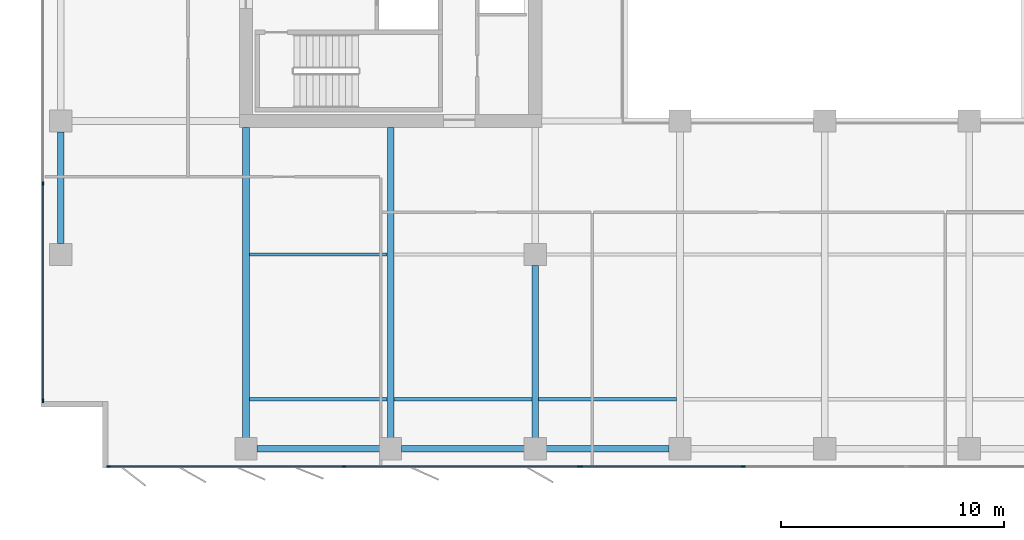
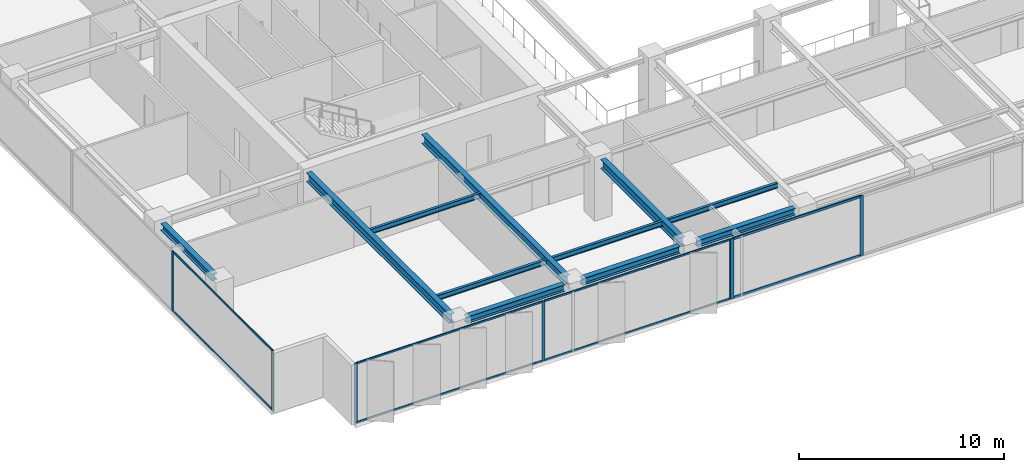
# One storey, part 2 of 22: 15 members, 11 beams, 3 elements without a shape of their own.
"""IFC4 building model written with IfcOpenShell, lengths in metres."""

from ifc_helpers import new_model, si_unit, direction, frame, origin, origin_2d, place, context, subcontext, project, spatial, rectangle, i_section, extrude, material, layer, layer_set, material_profile, profile_set, type_object, element, aggregate, save


model = new_model("IFC4")

# Units and contexts
model_context = context("Model", 3, precision=1e-05, world=origin(), true_north=direction((0.0, 1.0)))
body_context = subcontext(model_context, "Body", "Model", "MODEL_VIEW")
ifc_project = project(units=[si_unit("LENGTHUNIT", "METRE"), si_unit("AREAUNIT", "SQUARE_METRE"), si_unit("VOLUMEUNIT", "CUBIC_METRE"), si_unit("PLANEANGLEUNIT", "RADIAN"), si_unit("MASSUNIT", "GRAM", prefix="KILO")], contexts=[model_context])

# Site, building, storey
site_placement = place(None, origin())
site = spatial("IfcSite", under=ifc_project, at=site_placement, CompositionType="ELEMENT")
building_placement = place(site_placement, origin())
building = spatial("IfcBuilding", under=site, at=building_placement, Name="Putna Gate Headquarters", CompositionType="ELEMENT")
storey_placement = place(building_placement, frame((0.0, 0.0, 148.0)))
storey = spatial("IfcBuildingStorey", under=building, at=storey_placement, Name="L36", CompositionType="ELEMENT", Elevation=148.0)

# Beams
ifc_material_1 = material(Name="Steel S355J2", Category="steel")
ifc_material_profile_1 = material_profile(ifc_material_1, i_section(OverallWidth=0.300048828125, OverallDepth=0.550048828125, WebThickness=0.014892578125, FlangeThickness=0.029052734375, at=origin_2d()), Name="Steel S355J2")
ifc_profile_set_1 = profile_set([ifc_material_profile_1], Name="Steel S355J2")
beam_type_1 = type_object("IfcBeamType", Name="BM-GIRD-Z3-HEB550", PredefinedType="USERDEFINED", material=ifc_profile_set_1)
for number, where, z_axis, x_axis, name in (
    (1, (13.0, 4.76806640625, 3.297119140625), (0.0, 1.0, 0.0), (-1.0, 0.0, 0.0), "L36 South Primary Girder X13"),
    (2, (19.5, 4.76806640625, 3.297119140625), (0.0, 1.0, 0.0), (-1.0, 0.0, 0.0), "L36 South Primary Girder X19"),
):
    element("IfcBeam", number, at=place(storey_placement, frame(where, z_axis=z_axis, x_axis=x_axis)), inside=storey, type_object=beam_type_1, Name=name, ObjectType="GIRDER", PredefinedType="USERDEFINED", context=body_context, shape_type="SweptSolid", body=[
        extrude(i_section(OverallWidth=0.300048828125, OverallDepth=0.550048828125, WebThickness=0.014892578125, FlangeThickness=0.029052734375, at=origin_2d()), origin(), (0.0, 0.0, 1.0), 13.947021484375),
    ])
beam_1_placement = place(storey_placement, frame((26.0, 4.76806640625, 3.297119140625), z_axis=(0.0, 1.0, 0.0), x_axis=(-1.0, 0.0, 0.0)))
element("IfcBeam", 3, at=beam_1_placement, inside=storey, type_object=beam_type_1, Name="L36 South Primary Girder X26-1", ObjectType="GIRDER", PredefinedType="USERDEFINED", context=body_context, shape_type="SweptSolid", body=[
    extrude(i_section(OverallWidth=0.300048828125, OverallDepth=0.550048828125, WebThickness=0.014892578125, FlangeThickness=0.029052734375, at=origin_2d()), origin(), (0.0, 0.0, 1.0), 7.743896484375),
])
ifc_material_profile_2 = material_profile(ifc_material_1, i_section(OverallWidth=0.14990234375, OverallDepth=0.300048828125, WebThickness=0.007080078125, FlangeThickness=0.0107421875, at=origin_2d()), Name="Steel S355J2")
ifc_profile_set_2 = profile_set([ifc_material_profile_2], Name="Steel S355J2")
beam_type_2 = type_object("IfcBeamType", Name="BM-SEC-Z3-IPE300", PredefinedType="JOIST", material=ifc_profile_set_2)
for number, where, z_axis, x_axis, name in (
    (4, (13.154052734375, 6.5, 3.422119140625), (1.0, 0.0, 0.0), (0.0, 1.0, 0.0), "L36 South Secondary Beam 1"),
    (5, (13.154052734375, 13.0, 3.422119140625), (1.0, 0.0, 0.0), (0.0, 1.0, 0.0), "L36 South Secondary Beam 1"),
    (6, (19.654052734375, 6.5, 3.422119140625), (1.0, 0.0, 0.0), (0.0, 1.0, 0.0), "L36 South Secondary Beam 2"),
    (7, (26.154052734375, 6.5, 3.422119140625), (1.0, 0.0, 0.0), (0.0, 1.0, 0.0), "L36 South Secondary Beam 3"),
):
    element("IfcBeam", number, at=place(storey_placement, frame(where, z_axis=z_axis, x_axis=x_axis)), inside=storey, type_object=beam_type_2, Name=name, PredefinedType="JOIST", context=body_context, shape_type="SweptSolid", body=[
        extrude(i_section(OverallWidth=0.14990234375, OverallDepth=0.300048828125, WebThickness=0.007080078125, FlangeThickness=0.0107421875, at=origin_2d()), origin(), (0.0, 0.0, 1.0), 6.19189453125),
    ])
ifc_material_profile_3 = material_profile(ifc_material_1, i_section(OverallWidth=0.300048828125, OverallDepth=0.39990234375, WebThickness=0.013427734375, FlangeThickness=0.02392578125, at=origin_2d()), Name="Steel S355J2")
ifc_profile_set_3 = profile_set([ifc_material_profile_3], Name="Steel S355J2")
beam_type_3 = type_object("IfcBeamType", Name="BM-SPAN-Z3-HEB400", PredefinedType="SPANDREL", material=ifc_profile_set_3)
for number, where, z_axis, x_axis, name in (
    (8, (13.488037109375, 4.280029296875, 3.3720703125), (1.0, 0.0, 0.0), (0.0, 1.0, 0.0), "L36 S Perimeter Spandrel 1"),
    (9, (19.988037109375, 4.280029296875, 3.3720703125), (1.0, 0.0, 0.0), (0.0, 1.0, 0.0), "L36 S Perimeter Spandrel 2"),
    (10, (26.488037109375, 4.280029296875, 3.3720703125), (1.0, 0.0, 0.0), (0.0, 1.0, 0.0), "L36 S Perimeter Spandrel 3"),
):
    element("IfcBeam", number, at=place(storey_placement, frame(where, z_axis=z_axis, x_axis=x_axis)), inside=storey, type_object=beam_type_3, Name=name, PredefinedType="SPANDREL", context=body_context, shape_type="SweptSolid", body=[
        extrude(i_section(OverallWidth=0.300048828125, OverallDepth=0.39990234375, WebThickness=0.013427734375, FlangeThickness=0.02392578125, at=origin_2d()), origin(), (0.0, 0.0, 1.0), 5.52392578125),
    ])
beam_2_placement = place(storey_placement, frame((4.679931640625, 13.488037109375, 3.3720703125), z_axis=(0.0, 1.0, 0.0), x_axis=(-1.0, 0.0, 0.0)))
element("IfcBeam", 11, at=beam_2_placement, inside=storey, type_object=beam_type_3, Name="L36 W End Spandrel 1", PredefinedType="SPANDREL", context=body_context, shape_type="SweptSolid", body=[
    extrude(i_section(OverallWidth=0.300048828125, OverallDepth=0.39990234375, WebThickness=0.013427734375, FlangeThickness=0.02392578125, at=origin_2d()), origin(), (0.0, 0.0, 1.0), 5.02392578125),
])

# Curtain wall, members
ifc_material_2 = material(Name="Anodised bronze aluminium curtain wall", Category="aluminium")
ifc_layer_1 = layer(ifc_material_2, 0.159912109375)
ifc_layer_set_1 = layer_set([ifc_layer_1], Name="Anodised bronze aluminium curtain wall")
curtain_wall_type_1 = type_object("IfcCurtainWallType", Name="CW-SYS-Z3", PredefinedType="USERDEFINED", material=ifc_layer_set_1)
curtain_wall_1_placement = place(storey_placement, origin())
curtain_wall_1 = element("IfcCurtainWall", 12, at=curtain_wall_1_placement, inside=storey, type_object=curtain_wall_type_1, Name="L36 South West Curtain Wall", ObjectType="STICK CURTAIN WALL", PredefinedType="USERDEFINED")
ifc_material_3 = material(Name="Anodised bronze aluminium EN AW-6060", Category="aluminium")
ifc_material_profile_4 = material_profile(ifc_material_3, rectangle(XDim=0.06494140625, YDim=0.159912109375, at=origin_2d()), Name="Anodised bronze aluminium EN AW-6060")
ifc_profile_set_4 = profile_set([ifc_material_profile_4], Name="Anodised bronze aluminium EN AW-6060")
member_type_1 = type_object("IfcMemberType", Name="MULL-CWM-3", PredefinedType="MULLION", material=ifc_profile_set_4)
member_1_placement = place(storey_placement, frame((6.83251953125, 3.47998046875, 0.0), z_axis=(0.0, 0.0, 1.0), x_axis=(0.0, 1.0, 0.0)))
member_1 = element("IfcMember", 13, at=member_1_placement, type_object=member_type_1, Name="CWS-3 mullion 1", PredefinedType="MULLION", context=body_context, shape_type="SweptSolid", body=[
    extrude(rectangle(XDim=0.06494140625, YDim=0.159912109375, at=origin_2d()), origin(), (0.0, 0.0, 1.0), 3.572021484375),
])
member_2_placement = place(storey_placement, frame((17.39990234375, 3.47998046875, 0.0), z_axis=(0.0, 0.0, 1.0), x_axis=(0.0, 1.0, 0.0)))
member_2 = element("IfcMember", 14, at=member_2_placement, type_object=member_type_1, Name="CWS-3 mullion 2", PredefinedType="MULLION", context=body_context, shape_type="SweptSolid", body=[
    extrude(rectangle(XDim=0.06494140625, YDim=0.159912109375, at=origin_2d()), origin(), (0.0, 0.0, 1.0), 3.572021484375),
])
member_3_placement = place(storey_placement, frame((27.967529296875, 3.47998046875, 0.0), z_axis=(0.0, 0.0, 1.0), x_axis=(0.0, 1.0, 0.0)))
member_3 = element("IfcMember", 15, at=member_3_placement, type_object=member_type_1, Name="CWS-3 mullion 3", PredefinedType="MULLION", context=body_context, shape_type="SweptSolid", body=[
    extrude(rectangle(XDim=0.06494140625, YDim=0.159912109375, at=origin_2d()), origin(), (0.0, 0.0, 1.0), 3.572021484375),
])

curtain_wall_2_placement = place(storey_placement, origin())
curtain_wall_2 = element("IfcCurtainWall", 16, at=curtain_wall_2_placement, inside=storey, type_object=curtain_wall_type_1, Name="L36 West Curtain Wall", ObjectType="STICK CURTAIN WALL", PredefinedType="USERDEFINED")
member_4_placement = place(storey_placement, frame((3.8798828125, 6.4326171875, 0.0), z_axis=(0.0, 0.0, 1.0), x_axis=(-1.0, 0.0, 0.0)))
member_4 = element("IfcMember", 17, at=member_4_placement, type_object=member_type_1, Name="CWS-3 mullion 1", PredefinedType="MULLION", context=body_context, shape_type="SweptSolid", body=[
    extrude(rectangle(XDim=0.06494140625, YDim=0.159912109375, at=origin_2d()), origin(), (0.0, 0.0, 1.0), 3.572021484375),
])
member_5_placement = place(storey_placement, frame((3.8798828125, 16.199951171875, 0.0), z_axis=(0.0, 0.0, 1.0), x_axis=(-1.0, 0.0, 0.0)))
member_5 = element("IfcMember", 18, at=member_5_placement, type_object=member_type_1, Name="CWS-3 mullion 2", PredefinedType="MULLION", context=body_context, shape_type="SweptSolid", body=[
    extrude(rectangle(XDim=0.06494140625, YDim=0.159912109375, at=origin_2d()), origin(), (0.0, 0.0, 1.0), 3.572021484375),
])

ifc_layer_2 = layer(ifc_material_2, 0.179931640625)
ifc_layer_set_2 = layer_set([ifc_layer_2], Name="Anodised bronze aluminium curtain wall")
curtain_wall_type_2 = type_object("IfcCurtainWallType", Name="CW-SYS-ATR", PredefinedType="USERDEFINED", material=ifc_layer_set_2)
curtain_wall_3_placement = place(storey_placement, origin())
curtain_wall_3 = element("IfcCurtainWall", 19, at=curtain_wall_3_placement, inside=storey, type_object=curtain_wall_type_2, Name="L36 South Atrium Clear Glazing", ObjectType="ATRIUM GLAZING", PredefinedType="USERDEFINED")
ifc_material_profile_5 = material_profile(ifc_material_3, rectangle(XDim=0.070068359375, YDim=0.179931640625, at=origin_2d()), Name="Anodised bronze aluminium EN AW-6060")
ifc_profile_set_5 = profile_set([ifc_material_profile_5], Name="Anodised bronze aluminium EN AW-6060")
member_type_2 = type_object("IfcMemberType", Name="MULL-CWM-AT", PredefinedType="MULLION", material=ifc_profile_set_5)
member_6_placement = place(storey_placement, frame((28.034912109375, 3.47998046875, 0.0), z_axis=(0.0, 0.0, 1.0), x_axis=(0.0, 1.0, 0.0)))
member_6 = element("IfcMember", 20, at=member_6_placement, type_object=member_type_2, Name="CWS-AT mullion 1", PredefinedType="MULLION", context=body_context, shape_type="SweptSolid", body=[
    extrude(rectangle(XDim=0.070068359375, YDim=0.179931640625, at=origin_2d()), origin(), (0.0, 0.0, 1.0), 3.572021484375),
])
member_7_placement = place(storey_placement, frame((35.333251953125, 3.47998046875, 0.0), z_axis=(0.0, 0.0, 1.0), x_axis=(0.0, 1.0, 0.0)))
member_7 = element("IfcMember", 21, at=member_7_placement, type_object=member_type_2, Name="CWS-AT mullion 2", PredefinedType="MULLION", context=body_context, shape_type="SweptSolid", body=[
    extrude(rectangle(XDim=0.070068359375, YDim=0.179931640625, at=origin_2d()), origin(), (0.0, 0.0, 1.0), 3.572021484375),
])

# Member
ifc_material_profile_6 = material_profile(ifc_material_3, rectangle(XDim=0.06005859375, YDim=0.10009765625, at=origin_2d()), Name="Anodised bronze aluminium EN AW-6060")
ifc_profile_set_6 = profile_set([ifc_material_profile_6], Name="Anodised bronze aluminium EN AW-6060")
member_type_3 = type_object("IfcMemberType", Name="TRAN-CWT-3", PredefinedType="USERDEFINED", material=ifc_profile_set_6)
member_8_placement = place(storey_placement, frame((6.864990234375, 3.47998046875, 0.030029296875), z_axis=(1.0, 0.0, 0.0), x_axis=(0.0, 1.0, 0.0)))
member_8 = element("IfcMember", 22, at=member_8_placement, type_object=member_type_3, Name="CWS-3 transom 1.1", ObjectType="TRANSOM", PredefinedType="USERDEFINED", context=body_context, shape_type="SweptSolid", body=[
    extrude(rectangle(XDim=0.06005859375, YDim=0.10009765625, at=origin_2d()), origin(), (0.0, 0.0, 1.0), 10.50244140625),
])

member_9_placement = place(storey_placement, frame((6.864990234375, 3.47998046875, 3.5419921875), z_axis=(1.0, 0.0, 0.0), x_axis=(0.0, 1.0, 0.0)))
member_9 = element("IfcMember", 23, at=member_9_placement, type_object=member_type_3, Name="CWS-3 transom 1.2", ObjectType="TRANSOM", PredefinedType="USERDEFINED", context=body_context, shape_type="SweptSolid", body=[
    extrude(rectangle(XDim=0.06005859375, YDim=0.10009765625, at=origin_2d()), origin(), (0.0, 0.0, 1.0), 10.50244140625),
])

member_10_placement = place(storey_placement, frame((17.4326171875, 3.47998046875, 0.030029296875), z_axis=(1.0, 0.0, 0.0), x_axis=(0.0, 1.0, 0.0)))
member_10 = element("IfcMember", 24, at=member_10_placement, type_object=member_type_3, Name="CWS-3 transom 2.1", ObjectType="TRANSOM", PredefinedType="USERDEFINED", context=body_context, shape_type="SweptSolid", body=[
    extrude(rectangle(XDim=0.06005859375, YDim=0.10009765625, at=origin_2d()), origin(), (0.0, 0.0, 1.0), 10.50244140625),
])

member_11_placement = place(storey_placement, frame((17.4326171875, 3.47998046875, 3.5419921875), z_axis=(1.0, 0.0, 0.0), x_axis=(0.0, 1.0, 0.0)))
member_11 = element("IfcMember", 25, at=member_11_placement, type_object=member_type_3, Name="CWS-3 transom 2.2", ObjectType="TRANSOM", PredefinedType="USERDEFINED", context=body_context, shape_type="SweptSolid", body=[
    extrude(rectangle(XDim=0.06005859375, YDim=0.10009765625, at=origin_2d()), origin(), (0.0, 0.0, 1.0), 10.50244140625),
])

aggregate(curtain_wall_1, [member_1, member_2, member_3, member_8, member_9, member_10, member_11])

member_12_placement = place(storey_placement, frame((3.8798828125, 6.465087890625, 0.030029296875), z_axis=(0.0, 1.0, 0.0), x_axis=(-1.0, 0.0, 0.0)))
member_12 = element("IfcMember", 26, at=member_12_placement, type_object=member_type_3, Name="CWS-3 transom 1.1", ObjectType="TRANSOM", PredefinedType="USERDEFINED", context=body_context, shape_type="SweptSolid", body=[
    extrude(rectangle(XDim=0.06005859375, YDim=0.10009765625, at=origin_2d()), origin(), (0.0, 0.0, 1.0), 9.702392578125),
])

member_13_placement = place(storey_placement, frame((3.8798828125, 6.465087890625, 3.5419921875), z_axis=(0.0, 1.0, 0.0), x_axis=(-1.0, 0.0, 0.0)))
member_13 = element("IfcMember", 27, at=member_13_placement, type_object=member_type_3, Name="CWS-3 transom 1.2", ObjectType="TRANSOM", PredefinedType="USERDEFINED", context=body_context, shape_type="SweptSolid", body=[
    extrude(rectangle(XDim=0.06005859375, YDim=0.10009765625, at=origin_2d()), origin(), (0.0, 0.0, 1.0), 9.702392578125),
])

aggregate(curtain_wall_2, [member_4, member_5, member_12, member_13])

ifc_material_profile_7 = material_profile(ifc_material_3, rectangle(XDim=0.070068359375, YDim=0.139892578125, at=origin_2d()), Name="Anodised bronze aluminium EN AW-6060")
ifc_profile_set_7 = profile_set([ifc_material_profile_7], Name="Anodised bronze aluminium EN AW-6060")
member_type_4 = type_object("IfcMemberType", Name="TRAN-CWT-AT", PredefinedType="USERDEFINED", material=ifc_profile_set_7)
member_14_placement = place(storey_placement, frame((28.070068359375, 3.47998046875, 0.034912109375), z_axis=(1.0, 0.0, 0.0), x_axis=(0.0, 1.0, 0.0)))
member_14 = element("IfcMember", 28, at=member_14_placement, type_object=member_type_4, Name="CWS-AT transom 1.1", ObjectType="TRANSOM", PredefinedType="USERDEFINED", context=body_context, shape_type="SweptSolid", body=[
    extrude(rectangle(XDim=0.070068359375, YDim=0.139892578125, at=origin_2d()), origin(), (0.0, 0.0, 1.0), 7.228271484375),
])

member_15_placement = place(storey_placement, frame((28.070068359375, 3.47998046875, 3.537109375), z_axis=(1.0, 0.0, 0.0), x_axis=(0.0, 1.0, 0.0)))
member_15 = element("IfcMember", 29, at=member_15_placement, type_object=member_type_4, Name="CWS-AT transom 1.2", ObjectType="TRANSOM", PredefinedType="USERDEFINED", context=body_context, shape_type="SweptSolid", body=[
    extrude(rectangle(XDim=0.070068359375, YDim=0.139892578125, at=origin_2d()), origin(), (0.0, 0.0, 1.0), 7.228271484375),
])

aggregate(curtain_wall_3, [member_6, member_7, member_14, member_15])

save(model, "model.ifc")
